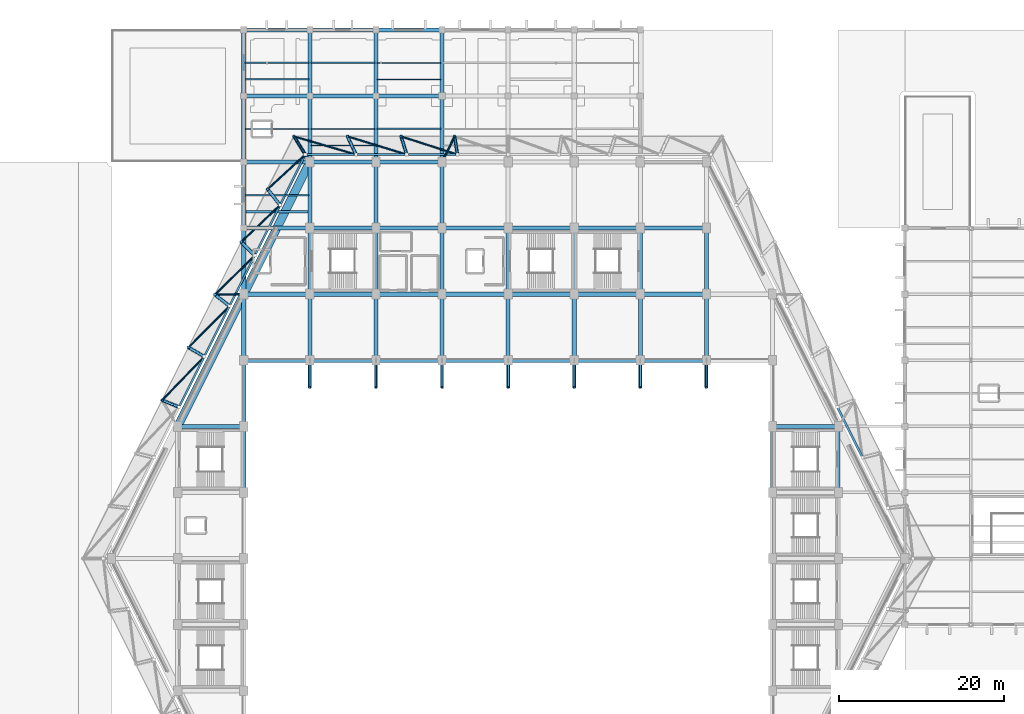
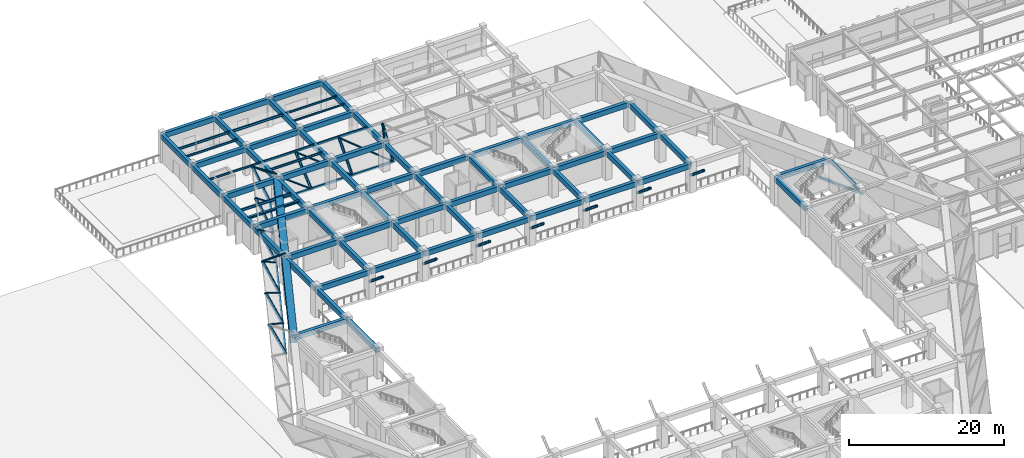
# One storey, part 9 of 46: 77 beams, 36 members.
"""IFC4 building model written with IfcOpenShell, lengths in metres."""

from ifc_helpers import new_model, si_unit, direction, frame, origin, origin_2d, place, context, subcontext, project, spatial, rectangle, hollow_rectangle, hollow_circle, i_section, extrude, material, material_profile, profile_set, type_object, element, save


model = new_model("IFC4")

# Units and contexts
model_context = context("Model", 3, precision=1e-05, world=origin(), true_north=direction((0.0, 1.0)))
body_context = subcontext(model_context, "Body", "Model", "MODEL_VIEW")
ifc_project = project(units=[si_unit("LENGTHUNIT", "METRE"), si_unit("AREAUNIT", "SQUARE_METRE"), si_unit("VOLUMEUNIT", "CUBIC_METRE"), si_unit("PLANEANGLEUNIT", "RADIAN"), si_unit("MASSUNIT", "GRAM", prefix="KILO")], contexts=[model_context])

# Site, building, storey
site_placement = place(None, origin())
site = spatial("IfcSite", under=ifc_project, at=site_placement, CompositionType="ELEMENT")
building_placement = place(site_placement, origin())
building = spatial("IfcBuilding", under=site, at=building_placement, Name="Tazarka Park Arena", CompositionType="ELEMENT")
storey_placement = place(building_placement, frame((0.0, 0.0, 10.199951171875)))
storey = spatial("IfcBuildingStorey", under=building, at=storey_placement, Name="L02", CompositionType="ELEMENT", Elevation=10.199951171875)

# Beams
ifc_material_1 = material(Name="Concrete C40/50", Category="concrete")
ifc_material_profile_1 = material_profile(ifc_material_1, rectangle(XDim=0.5, YDim=0.800048828125, at=origin_2d()), Name="Concrete C40/50")
ifc_profile_set_1 = profile_set([ifc_material_profile_1], Name="Concrete C40/50")
beam_type_1 = type_object("IfcBeamType", Name="BM-B-02", PredefinedType="BEAM", material=ifc_profile_set_1)
for number, where, z_axis, x_axis, name in (
    (1, (56.1201171875, 88.0, 4.02001953125), (1.0, 0.0, 0.0), (0.0, 1.0, 0.0), "GXM-L02-07-11"),
    (2, (56.1201171875, 96.0, 4.02001953125), (1.0, 0.0, 0.0), (0.0, 1.0, 0.0), "GXM-L02-07-12"),
    (3, (56.1201171875, 104.0, 4.02001953125), (1.0, 0.0, 0.0), (0.0, 1.0, 0.0), "GXM-L02-07-13"),
    (4, (56.1201171875, 112.0, 4.02001953125), (1.0, 0.0, 0.0), (0.0, 1.0, 0.0), "GXM-L02-07-14"),
    (5, (56.1201171875, 120.0, 4.02001953125), (1.0, 0.0, 0.0), (0.0, 1.0, 0.0), "GXM-L02-07-15"),
    (6, (64.0, 88.1201171875, 4.02001953125), (0.0, 1.0, 0.0), (-1.0, 0.0, 0.0), "GYM-L02-08-11"),
    (7, (64.1201171875, 96.0, 4.02001953125), (1.0, 0.0, 0.0), (0.0, 1.0, 0.0), "GXM-L02-08-12"),
    (8, (64.0, 96.1201171875, 4.02001953125), (0.0, 1.0, 0.0), (-1.0, 0.0, 0.0), "GYM-L02-08-12"),
    (9, (64.1201171875, 104.0, 4.02001953125), (1.0, 0.0, 0.0), (0.0, 1.0, 0.0), "GXM-L02-08-13"),
    (10, (64.0, 104.1201171875, 4.02001953125), (0.0, 1.0, 0.0), (-1.0, 0.0, 0.0), "GYM-L02-08-13"),
    (11, (64.1201171875, 112.0, 4.02001953125), (1.0, 0.0, 0.0), (0.0, 1.0, 0.0), "GXM-L02-08-14"),
    (12, (64.0, 112.1201171875, 4.02001953125), (0.0, 1.0, 0.0), (-1.0, 0.0, 0.0), "GYM-L02-08-14"),
    (13, (64.1201171875, 120.0, 4.02001953125), (1.0, 0.0, 0.0), (0.0, 1.0, 0.0), "GXM-L02-08-15"),
    (14, (64.0, 120.1201171875, 4.02001953125), (0.0, 1.0, 0.0), (-1.0, 0.0, 0.0), "GYM-L02-08-15"),
    (15, (72.0, 88.1201171875, 4.02001953125), (0.0, 1.0, 0.0), (-1.0, 0.0, 0.0), "GYM-L02-09-11"),
    (16, (72.1201171875, 96.0, 4.02001953125), (1.0, 0.0, 0.0), (0.0, 1.0, 0.0), "GXM-L02-09-12"),
    (17, (72.0, 96.1201171875, 4.02001953125), (0.0, 1.0, 0.0), (-1.0, 0.0, 0.0), "GYM-L02-09-12"),
    (18, (72.1201171875, 104.0, 4.02001953125), (1.0, 0.0, 0.0), (0.0, 1.0, 0.0), "GXM-L02-09-13"),
    (19, (72.0, 104.1201171875, 4.02001953125), (0.0, 1.0, 0.0), (-1.0, 0.0, 0.0), "GYM-L02-09-13"),
    (20, (72.1201171875, 112.0, 4.02001953125), (1.0, 0.0, 0.0), (0.0, 1.0, 0.0), "GXM-L02-09-14"),
    (21, (72.0, 112.1201171875, 4.02001953125), (0.0, 1.0, 0.0), (-1.0, 0.0, 0.0), "GYM-L02-09-14"),
    (22, (72.1201171875, 120.0, 4.02001953125), (1.0, 0.0, 0.0), (0.0, 1.0, 0.0), "GXM-L02-09-15"),
    (23, (72.0, 120.1201171875, 4.02001953125), (0.0, 1.0, 0.0), (-1.0, 0.0, 0.0), "GYM-L02-09-15"),
    (24, (80.0, 88.1201171875, 4.02001953125), (0.0, 1.0, 0.0), (-1.0, 0.0, 0.0), "GYM-L02-10-11"),
    (25, (80.1201171875, 96.0, 4.02001953125), (1.0, 0.0, 0.0), (0.0, 1.0, 0.0), "GXM-L02-10-12"),
    (26, (80.0, 96.1201171875, 4.02001953125), (0.0, 1.0, 0.0), (-1.0, 0.0, 0.0), "GYM-L02-10-12"),
    (27, (80.1201171875, 104.0, 4.02001953125), (1.0, 0.0, 0.0), (0.0, 1.0, 0.0), "GXM-L02-10-13"),
    (28, (80.0, 104.1201171875, 4.02001953125), (0.0, 1.0, 0.0), (-1.0, 0.0, 0.0), "GYM-L02-10-13"),
    (29, (80.0, 112.1201171875, 4.02001953125), (0.0, 1.0, 0.0), (-1.0, 0.0, 0.0), "GYM-L02-10-14"),
    (30, (80.0, 120.1201171875, 4.02001953125), (0.0, 1.0, 0.0), (-1.0, 0.0, 0.0), "GYM-L02-10-15"),
    (31, (88.0, 88.1201171875, 4.02001953125), (0.0, 1.0, 0.0), (-1.0, 0.0, 0.0), "GYM-L02-11-11"),
    (32, (88.1201171875, 96.0, 4.02001953125), (1.0, 0.0, 0.0), (0.0, 1.0, 0.0), "GXM-L02-11-12"),
    (33, (88.0, 96.1201171875, 4.02001953125), (0.0, 1.0, 0.0), (-1.0, 0.0, 0.0), "GYM-L02-11-12"),
    (34, (88.1201171875, 104.0, 4.02001953125), (1.0, 0.0, 0.0), (0.0, 1.0, 0.0), "GXM-L02-11-13"),
    (35, (96.0, 88.1201171875, 4.02001953125), (0.0, 1.0, 0.0), (-1.0, 0.0, 0.0), "GYM-L02-12-11"),
    (36, (96.1201171875, 96.0, 4.02001953125), (1.0, 0.0, 0.0), (0.0, 1.0, 0.0), "GXM-L02-12-12"),
    (37, (96.0, 96.1201171875, 4.02001953125), (0.0, 1.0, 0.0), (-1.0, 0.0, 0.0), "GYM-L02-12-12"),
    (38, (96.1201171875, 104.0, 4.02001953125), (1.0, 0.0, 0.0), (0.0, 1.0, 0.0), "GXM-L02-12-13"),
    (39, (104.0, 88.1201171875, 4.02001953125), (0.0, 1.0, 0.0), (-1.0, 0.0, 0.0), "GYM-L02-13-11"),
    (40, (104.1201171875, 96.0, 4.02001953125), (1.0, 0.0, 0.0), (0.0, 1.0, 0.0), "GXM-L02-13-12"),
    (41, (104.0, 96.1201171875, 4.02001953125), (0.0, 1.0, 0.0), (-1.0, 0.0, 0.0), "GYM-L02-13-12"),
    (42, (104.1201171875, 104.0, 4.02001953125), (1.0, 0.0, 0.0), (0.0, 1.0, 0.0), "GXM-L02-13-13"),
    (43, (112.0, 88.1201171875, 4.02001953125), (0.0, 1.0, 0.0), (-1.0, 0.0, 0.0), "GYM-L02-14-11"),
    (44, (112.0, 96.1201171875, 4.02001953125), (0.0, 1.0, 0.0), (-1.0, 0.0, 0.0), "GYM-L02-14-12"),
    (45, (120.1201171875, 80.0, 4.02001953125), (1.0, 0.0, 0.0), (0.0, 1.0, 0.0), "GXM-L02-15-10"),
):
    element("IfcBeam", number, at=place(storey_placement, frame(where, z_axis=z_axis, x_axis=x_axis)), inside=storey, type_object=beam_type_1, Name=name, PredefinedType="BEAM", context=body_context, shape_type="SweptSolid", body=[
        extrude(rectangle(XDim=0.5, YDim=0.800048828125, at=origin_2d()), origin(), (0.0, 0.0, 1.0), 7.759765625),
    ])
ifc_material_2 = material(Name="Steel S355", Category="steel")
ifc_material_profile_2 = material_profile(ifc_material_2, i_section(OverallWidth=0.300048828125, OverallDepth=0.489990234375, WebThickness=0.011962890625, FlangeThickness=0.02294921875, FilletRadius=0.027099609375, at=origin_2d()), Name="Steel S355")
ifc_profile_set_2 = profile_set([ifc_material_profile_2], Name="Steel S355")
beam_type_2 = type_object("IfcBeamType", Name="BM-B-06", PredefinedType="BEAM", material=ifc_profile_set_2)
beam_1_placement = place(storey_placement, frame((128.0, 72.1201171875, 4.175048828125), z_axis=(0.0, 1.0, 0.0), x_axis=(-1.0, 0.0, 0.0)))
element("IfcBeam", 46, at=beam_1_placement, inside=storey, type_object=beam_type_2, Name="GYM-L02-16-09", PredefinedType="BEAM", context=body_context, shape_type="SweptSolid", body=[
    extrude(i_section(OverallWidth=0.300048828125, OverallDepth=0.489990234375, WebThickness=0.011962890625, FlangeThickness=0.02294921875, FilletRadius=0.027099609375, at=origin_2d()), origin(), (0.0, 0.0, 1.0), 7.759765625),
])
ifc_material_3 = material(Name="Steel S355", Category="steel")
ifc_material_profile_3 = material_profile(ifc_material_3, i_section(OverallWidth=0.14990234375, OverallDepth=0.300048828125, WebThickness=0.007080078125, FlangeThickness=0.0107421875, FilletRadius=0.014892578125, at=origin_2d()), Name="Steel S355")
ifc_profile_set_3 = profile_set([ifc_material_profile_3], Name="Steel S355")
beam_type_3 = type_object("IfcBeamType", Name="BM-J-01", PredefinedType="JOIST", material=ifc_profile_set_3)
for number, where, z_axis, x_axis, name in (
    (47, (56.1201171875, 116.0, 4.27001953125), (1.0, 0.0, 0.0), (0.0, 1.0, 0.0), "JST-L02-07-14"),
    (48, (72.1201171875, 124.0, 4.27001953125), (1.0, 0.0, 0.0), (0.0, 1.0, 0.0), "JST-L02-09-15"),
):
    element("IfcBeam", number, at=place(storey_placement, frame(where, z_axis=z_axis, x_axis=x_axis)), inside=storey, type_object=beam_type_3, Name=name, PredefinedType="JOIST", context=body_context, shape_type="SweptSolid", body=[
        extrude(i_section(OverallWidth=0.14990234375, OverallDepth=0.300048828125, WebThickness=0.007080078125, FlangeThickness=0.0107421875, FilletRadius=0.014892578125, at=origin_2d()), origin(), (0.0, 0.0, 1.0), 7.759765625),
    ])
ifc_material_4 = material(Name="Steel S355", Category="steel")
ifc_material_profile_4 = material_profile(ifc_material_4, i_section(OverallWidth=0.169921875, OverallDepth=0.360107421875, WebThickness=0.008056640625, FlangeThickness=0.0126953125, FilletRadius=0.01806640625, at=origin_2d()), Name="Steel S355")
ifc_profile_set_4 = profile_set([ifc_material_profile_4], Name="Steel S355")
beam_type_4 = type_object("IfcBeamType", Name="BM-J-02", PredefinedType="JOIST", material=ifc_profile_set_4)
for number, where, z_axis, x_axis, name in (
    (49, (56.1201171875, 124.0, 4.239990234375), (1.0, 0.0, 0.0), (0.0, 1.0, 0.0), "JST-L02-07-15"),
    (50, (64.1201171875, 116.0, 4.239990234375), (1.0, 0.0, 0.0), (0.0, 1.0, 0.0), "JST-L02-08-14"),
):
    element("IfcBeam", number, at=place(storey_placement, frame(where, z_axis=z_axis, x_axis=x_axis)), inside=storey, type_object=beam_type_4, Name=name, PredefinedType="JOIST", context=body_context, shape_type="SweptSolid", body=[
        extrude(i_section(OverallWidth=0.169921875, OverallDepth=0.360107421875, WebThickness=0.008056640625, FlangeThickness=0.0126953125, FilletRadius=0.01806640625, at=origin_2d()), origin(), (0.0, 0.0, 1.0), 7.759765625),
    ])
ifc_material_5 = material(Name="Steel S355", Category="steel")
ifc_material_profile_5 = material_profile(ifc_material_5, i_section(OverallWidth=0.179931640625, OverallDepth=0.39990234375, WebThickness=0.008544921875, FlangeThickness=0.013427734375, FilletRadius=0.02099609375, at=origin_2d()), Name="Steel S355")
ifc_profile_set_5 = profile_set([ifc_material_profile_5], Name="Steel S355")
beam_type_5 = type_object("IfcBeamType", Name="BM-J-03", PredefinedType="JOIST", material=ifc_profile_set_5)
for number, where, z_axis, x_axis, name in (
    (51, (56.1201171875, 108.0, 4.219970703125), (1.0, 0.0, 0.0), (0.0, 1.0, 0.0), "JST-L02-07-13"),
    (52, (64.1201171875, 124.0, 4.219970703125), (1.0, 0.0, 0.0), (0.0, 1.0, 0.0), "JST-L02-08-15"),
    (53, (72.1201171875, 116.0, 4.219970703125), (1.0, 0.0, 0.0), (0.0, 1.0, 0.0), "JST-L02-09-14"),
):
    element("IfcBeam", number, at=place(storey_placement, frame(where, z_axis=z_axis, x_axis=x_axis)), inside=storey, type_object=beam_type_5, Name=name, PredefinedType="JOIST", context=body_context, shape_type="SweptSolid", body=[
        extrude(i_section(OverallWidth=0.179931640625, OverallDepth=0.39990234375, WebThickness=0.008544921875, FlangeThickness=0.013427734375, FilletRadius=0.02099609375, at=origin_2d()), origin(), (0.0, 0.0, 1.0), 7.759765625),
    ])
ifc_material_6 = material(Name="Steel S355", Category="steel")
ifc_material_profile_6 = material_profile(ifc_material_6, i_section(OverallWidth=0.135009765625, OverallDepth=0.27001953125, WebThickness=0.006591796875, FlangeThickness=0.01025390625, FilletRadius=0.014892578125, at=origin_2d()), Name="Steel S355")
ifc_profile_set_6 = profile_set([ifc_material_profile_6], Name="Steel S355")
beam_type_6 = type_object("IfcBeamType", Name="BM-J-04", PredefinedType="JOIST", material=ifc_profile_set_6)
beam_2_placement = place(storey_placement, frame((72.1201171875, 122.0, 4.28515625), z_axis=(1.0, 0.0, 0.0), x_axis=(0.0, 1.0, 0.0)))
element("IfcBeam", 54, at=beam_2_placement, inside=storey, type_object=beam_type_6, Name="JST2-L02-09-15", PredefinedType="JOIST", context=body_context, shape_type="SweptSolid", body=[
    extrude(i_section(OverallWidth=0.135009765625, OverallDepth=0.27001953125, WebThickness=0.006591796875, FlangeThickness=0.01025390625, FilletRadius=0.014892578125, at=origin_2d()), origin(), (0.0, 0.0, 1.0), 7.759765625),
])
ifc_material_7 = material(Name="Steel S355", Category="steel")
ifc_material_profile_7 = material_profile(ifc_material_7, i_section(OverallWidth=0.159912109375, OverallDepth=0.330078125, WebThickness=0.007568359375, FlangeThickness=0.011474609375, FilletRadius=0.01806640625, at=origin_2d()), Name="Steel S355")
ifc_profile_set_7 = profile_set([ifc_material_profile_7], Name="Steel S355")
beam_type_7 = type_object("IfcBeamType", Name="BM-J-05", PredefinedType="JOIST", material=ifc_profile_set_7)
for number, where, z_axis, x_axis, name in (
    (55, (56.1201171875, 122.0, 4.255126953125), (1.0, 0.0, 0.0), (0.0, 1.0, 0.0), "JST2-L02-07-15"),
    (56, (64.1201171875, 114.0, 4.255126953125), (1.0, 0.0, 0.0), (0.0, 1.0, 0.0), "JST2-L02-08-14"),
):
    element("IfcBeam", number, at=place(storey_placement, frame(where, z_axis=z_axis, x_axis=x_axis)), inside=storey, type_object=beam_type_7, Name=name, PredefinedType="JOIST", context=body_context, shape_type="SweptSolid", body=[
        extrude(i_section(OverallWidth=0.159912109375, OverallDepth=0.330078125, WebThickness=0.007568359375, FlangeThickness=0.011474609375, FilletRadius=0.01806640625, at=origin_2d()), origin(), (0.0, 0.0, 1.0), 7.759765625),
    ])
ifc_material_8 = material(Name="Steel S355", Category="steel")
ifc_material_profile_8 = material_profile(ifc_material_8, i_section(OverallWidth=0.300048828125, OverallDepth=0.330078125, WebThickness=0.009521484375, FlangeThickness=0.0166015625, FilletRadius=0.027099609375, at=origin_2d()), Name="Steel S355")
ifc_profile_set_8 = profile_set([ifc_material_profile_8], Name="Steel S355")
beam_type_8 = type_object("IfcBeamType", Name="BM-J-06", PredefinedType="JOIST", material=ifc_profile_set_8)
beam_3_placement = place(storey_placement, frame((56.1201171875, 106.0, 4.255126953125), z_axis=(1.0, 0.0, 0.0), x_axis=(0.0, 1.0, 0.0)))
element("IfcBeam", 57, at=beam_3_placement, inside=storey, type_object=beam_type_8, Name="JST2-L02-07-13", PredefinedType="JOIST", context=body_context, shape_type="SweptSolid", body=[
    extrude(i_section(OverallWidth=0.300048828125, OverallDepth=0.330078125, WebThickness=0.009521484375, FlangeThickness=0.0166015625, FilletRadius=0.027099609375, at=origin_2d()), origin(), (0.0, 0.0, 1.0), 7.759765625),
])
ifc_material_9 = material(Name="Concrete C50/60", Category="concrete")
ifc_material_profile_9 = material_profile(ifc_material_9, rectangle(XDim=1.0, YDim=1.39990234375, at=origin_2d()), Name="Concrete C50/60")
ifc_profile_set_9 = profile_set([ifc_material_profile_9], Name="Concrete C50/60")
beam_type_9 = type_object("IfcBeamType", Name="BM-RNG-01", PredefinedType="BEAM", material=ifc_profile_set_9)
for number, where, z_axis, x_axis, name in (
    (58, (63.9462890625, 111.892578125, 3.719970703125), (-0.4472135955, -0.894427191, 0.0), (0.894427191, -0.4472135955, 0.0), "RING BEAM RNG-01-L02-19"),
    (59, (55.9462890625, 95.892578125, 3.719970703125), (-0.4472135955, -0.894427191, 0.0), (0.894427191, -0.4472135955, 0.0), "RING BEAM RNG-01-L02-20"),
):
    element("IfcBeam", number, at=place(storey_placement, frame(where, z_axis=z_axis, x_axis=x_axis)), inside=storey, type_object=beam_type_9, Name=name, PredefinedType="BEAM", context=body_context, shape_type="SweptSolid", body=[
        extrude(rectangle(XDim=1.0, YDim=1.39990234375, at=origin_2d()), origin(), (0.0, 0.0, 1.0), 17.6484375),
    ])
ifc_material_10 = material(Name="Concrete C40/50", Category="concrete")
ifc_material_profile_10 = material_profile(ifc_material_10, rectangle(XDim=0.5, YDim=0.800048828125, at=origin_2d()), Name="Concrete C40/50")
ifc_profile_set_10 = profile_set([ifc_material_profile_10], Name="Concrete C40/50")
beam_type_10 = type_object("IfcBeamType", Name="BM-SP-01", PredefinedType="SPANDREL", material=ifc_profile_set_10)
for number, where, z_axis, x_axis, name in (
    (60, (48.1201171875, 80.0, 4.02001953125), (1.0, 0.0, 0.0), (0.0, 1.0, 0.0), "GXM-L02-06-10"),
    (61, (56.0, 72.1201171875, 4.02001953125), (0.0, 1.0, 0.0), (-1.0, 0.0, 0.0), "GYM-L02-07-09"),
    (62, (56.0, 80.1201171875, 4.02001953125), (0.0, 1.0, 0.0), (-1.0, 0.0, 0.0), "GYM-L02-07-10"),
    (63, (56.0, 88.1201171875, 4.02001953125), (0.0, 1.0, 0.0), (-1.0, 0.0, 0.0), "GYM-L02-07-11"),
    (64, (56.0, 96.1201171875, 4.02001953125), (0.0, 1.0, 0.0), (-1.0, 0.0, 0.0), "GYM-L02-07-12"),
    (65, (56.0, 104.1201171875, 4.02001953125), (0.0, 1.0, 0.0), (-1.0, 0.0, 0.0), "GYM-L02-07-13"),
    (66, (56.0, 112.1201171875, 4.02001953125), (0.0, 1.0, 0.0), (-1.0, 0.0, 0.0), "GYM-L02-07-14"),
    (67, (56.0, 120.1201171875, 4.02001953125), (0.0, 1.0, 0.0), (-1.0, 0.0, 0.0), "GYM-L02-07-15"),
    (68, (56.1201171875, 128.0, 4.02001953125), (1.0, 0.0, 0.0), (0.0, 1.0, 0.0), "GXM-L02-07-16"),
    (69, (64.1201171875, 88.0, 4.02001953125), (1.0, 0.0, 0.0), (0.0, 1.0, 0.0), "GXM-L02-08-11"),
    (70, (64.1201171875, 128.0, 4.02001953125), (1.0, 0.0, 0.0), (0.0, 1.0, 0.0), "GXM-L02-08-16"),
    (71, (72.1201171875, 88.0, 4.02001953125), (1.0, 0.0, 0.0), (0.0, 1.0, 0.0), "GXM-L02-09-11"),
    (72, (72.1201171875, 128.0, 4.02001953125), (1.0, 0.0, 0.0), (0.0, 1.0, 0.0), "GXM-L02-09-16"),
    (73, (80.1201171875, 88.0, 4.02001953125), (1.0, 0.0, 0.0), (0.0, 1.0, 0.0), "GXM-L02-10-11"),
    (74, (88.1201171875, 88.0, 4.02001953125), (1.0, 0.0, 0.0), (0.0, 1.0, 0.0), "GXM-L02-11-11"),
    (75, (96.1201171875, 88.0, 4.02001953125), (1.0, 0.0, 0.0), (0.0, 1.0, 0.0), "GXM-L02-12-11"),
    (76, (104.1201171875, 88.0, 4.02001953125), (1.0, 0.0, 0.0), (0.0, 1.0, 0.0), "GXM-L02-13-11"),
    (77, (120.0, 72.1201171875, 4.02001953125), (0.0, 1.0, 0.0), (-1.0, 0.0, 0.0), "GYM-L02-15-09"),
):
    element("IfcBeam", number, at=place(storey_placement, frame(where, z_axis=z_axis, x_axis=x_axis)), inside=storey, type_object=beam_type_10, Name=name, PredefinedType="SPANDREL", context=body_context, shape_type="SweptSolid", body=[
        extrude(rectangle(XDim=0.5, YDim=0.800048828125, at=origin_2d()), origin(), (0.0, 0.0, 1.0), 7.759765625),
    ])

# Members
ifc_material_11 = material(Name="Steel S355", Category="steel")
ifc_material_profile_11 = material_profile(ifc_material_11, hollow_circle(Radius=0.122314453125, WallThickness=0.012451171875, at=origin_2d()), Name="Steel S355")
ifc_profile_set_11 = profile_set([ifc_material_profile_11], Name="Steel S355")
member_type_1 = type_object("IfcMemberType", Name="MEM-BR-05", PredefinedType="BRACE", material=ifc_profile_set_11)
member_1_placement = place(storey_placement, frame((81.861083984375, 112.89990234375, 0.0), z_axis=(-0.790668677769, 0.255111028035, 0.556562130737), x_axis=(-0.307064502192, -0.951688705141, 0.0)))
element("IfcMember", 78, at=member_1_placement, inside=storey, type_object=member_type_1, Name="FLD-29", PredefinedType="BRACE", context=body_context, shape_type="SweptSolid", body=[
    extrude(hollow_circle(Radius=0.122314453125, WallThickness=0.012451171875, at=origin_2d()), origin(), (0.0, 0.0, 1.0), 8.62451171875),
])
member_2_placement = place(storey_placement, frame((75.721923828125, 112.89990234375, 0.0), z_axis=(-0.804772711935, 0.247335254918, 0.539598141027), x_axis=(-0.293774300866, -0.955874814058, 0.0)))
element("IfcMember", 79, at=member_2_placement, inside=storey, type_object=member_type_1, Name="FLD-30", PredefinedType="BRACE", context=body_context, shape_type="SweptSolid", body=[
    extrude(hollow_circle(Radius=0.122314453125, WallThickness=0.012451171875, at=origin_2d()), origin(), (0.0, 0.0, 1.0), 8.8955078125),
])
member_3_placement = place(storey_placement, frame((69.5830078125, 112.89990234375, 0.0), z_axis=(-0.817642857996, 0.239894434049, 0.523364898785), x_axis=(-0.28153032935, -0.959552329816, 0.0)))
element("IfcMember", 80, at=member_3_placement, inside=storey, type_object=member_type_1, Name="FLD-31", PredefinedType="BRACE", context=body_context, shape_type="SweptSolid", body=[
    extrude(hollow_circle(Radius=0.122314453125, WallThickness=0.012451171875, at=origin_2d()), origin(), (0.0, 0.0, 1.0), 9.171630859375),
])
member_4_placement = place(storey_placement, frame((63.44384765625, 112.89990234375, 0.0), z_axis=(-0.58153737555, -0.534798620205, 0.613029131987), x_axis=(0.676908607816, -0.736067073482, 0.0)))
element("IfcMember", 81, at=member_4_placement, inside=storey, type_object=member_type_1, Name="FLD-32", PredefinedType="BRACE", context=body_context, shape_type="SweptSolid", body=[
    extrude(hollow_circle(Radius=0.122314453125, WallThickness=0.012451171875, at=origin_2d()), origin(), (0.0, 0.0, 1.0), 7.830078125),
])
member_5_placement = place(storey_placement, frame((60.3876953125, 106.78759765625, 0.0), z_axis=(-0.582034140305, -0.553682125977, 0.59554375397), x_axis=(0.689239837544, -0.724533261032, 0.0)))
element("IfcMember", 82, at=member_5_placement, inside=storey, type_object=member_type_1, Name="FLD-33", PredefinedType="BRACE", context=body_context, shape_type="SweptSolid", body=[
    extrude(hollow_circle(Radius=0.122314453125, WallThickness=0.012451171875, at=origin_2d()), origin(), (0.0, 0.0, 1.0), 8.06005859375),
])
member_6_placement = place(storey_placement, frame((57.331298828125, 100.675048828125, 0.0), z_axis=(-0.582120109666, -0.571170588465, 0.57870574284), x_axis=(0.700361835223, -0.713787993569, 0.0)))
element("IfcMember", 83, at=member_6_placement, inside=storey, type_object=member_type_1, Name="FLD-34", PredefinedType="BRACE", context=body_context, shape_type="SweptSolid", body=[
    extrude(hollow_circle(Radius=0.122314453125, WallThickness=0.012451171875, at=origin_2d()), origin(), (0.0, 0.0, 1.0), 8.29443359375),
])
member_7_placement = place(storey_placement, frame((54.275146484375, 94.5625, 0.0), z_axis=(-0.581924102591, -0.587359704552, 0.562470369256), x_axis=(0.710386203958, -0.703812078063, 0.0)))
element("IfcMember", 84, at=member_7_placement, inside=storey, type_object=member_type_1, Name="FLD-35", PredefinedType="BRACE", context=body_context, shape_type="SweptSolid", body=[
    extrude(hollow_circle(Radius=0.122314453125, WallThickness=0.012451171875, at=origin_2d()), origin(), (0.0, 0.0, 1.0), 8.533935546875),
])
member_8_placement = place(storey_placement, frame((51.21875, 88.449951171875, 0.0), z_axis=(-0.581439340036, -0.602383839799, 0.54686561732), x_axis=(0.719504494252, -0.694487784451, 0.0)))
element("IfcMember", 85, at=member_8_placement, inside=storey, type_object=member_type_1, Name="FLD-36", PredefinedType="BRACE", context=body_context, shape_type="SweptSolid", body=[
    extrude(hollow_circle(Radius=0.122314453125, WallThickness=0.012451171875, at=origin_2d()), origin(), (0.0, 0.0, 1.0), 8.77734375),
])
ifc_material_12 = material(Name="Steel S355", Category="steel")
ifc_material_profile_12 = material_profile(ifc_material_12, hollow_circle(Radius=0.136474609375, WallThickness=0.012451171875, at=origin_2d()), Name="Steel S355")
ifc_profile_set_12 = profile_set([ifc_material_profile_12], Name="Steel S355")
member_type_2 = type_object("IfcMemberType", Name="MEM-SR-01", PredefinedType="STRUT", material=ifc_profile_set_12)
member_9_placement = place(storey_placement, frame((80.0, 112.0, 4.800048828125), z_axis=(0.440470152774, 0.897767255204, 0.0), x_axis=(-0.897767255204, 0.440470152774, 0.0)))
element("IfcMember", 86, at=member_9_placement, inside=storey, type_object=member_type_2, Name="FST-16", PredefinedType="STRUT", context=body_context, shape_type="SweptSolid", body=[
    extrude(hollow_circle(Radius=0.136474609375, WallThickness=0.012451171875, at=origin_2d()), origin(), (0.0, 0.0, 1.0), 3.453125),
])
member_10_placement = place(storey_placement, frame((64.0, 112.0, 4.800048828125), z_axis=(-0.525741020847, 0.850644684342, 0.0), x_axis=(-0.850644684342, -0.525741020847, 0.0)))
element("IfcMember", 87, at=member_10_placement, inside=storey, type_object=member_type_2, Name="FST-18", PredefinedType="STRUT", context=body_context, shape_type="SweptSolid", body=[
    extrude(hollow_circle(Radius=0.136474609375, WallThickness=0.012451171875, at=origin_2d()), origin(), (0.0, 0.0, 1.0), 3.64453125),
])
member_11_placement = place(storey_placement, frame((56.0, 96.0, 4.800048828125), z_axis=(-0.99984033222, -0.017869249166, 0.0), x_axis=(0.017869249166, -0.99984033222, 0.0)))
element("IfcMember", 88, at=member_11_placement, inside=storey, type_object=member_type_2, Name="FST-19", PredefinedType="STRUT", context=body_context, shape_type="SweptSolid", body=[
    extrude(hollow_circle(Radius=0.136474609375, WallThickness=0.012451171875, at=origin_2d()), origin(), (0.0, 0.0, 1.0), 3.49755859375),
])
ifc_material_13 = material(Name="Steel S460", Category="steel")
ifc_material_profile_13 = material_profile(ifc_material_13, hollow_circle(Radius=0.203125, WallThickness=0.02001953125, at=origin_2d()), Name="Steel S460")
ifc_profile_set_13 = profile_set([ifc_material_profile_13], Name="Steel S460")
member_type_3 = type_object("IfcMemberType", Name="MEM-SR-02", PredefinedType="STRUT", material=ifc_profile_set_13)
member_12_placement = place(storey_placement, frame((81.861083984375, 112.89990234375, 0.0), z_axis=(-0.064274027366, 0.415820197145, 0.907172758108), x_axis=(-0.988263690231, -0.152757581058, 0.0)))
element("IfcMember", 89, at=member_12_placement, inside=storey, type_object=member_type_3, Name="FSL-29", PredefinedType="STRUT", context=body_context, shape_type="SweptSolid", body=[
    extrude(hollow_circle(Radius=0.203125, WallThickness=0.02001953125, at=origin_2d()), origin(), (0.0, 0.0, 1.0), 5.291259765625),
])
member_13_placement = place(storey_placement, frame((75.721923828125, 112.89990234375, 0.0), z_axis=(-0.127713696948, 0.413269600322, 0.901608256984), x_axis=(-0.955418410897, -0.295255245711, 0.0)))
element("IfcMember", 90, at=member_13_placement, inside=storey, type_object=member_type_3, Name="FSL-30", PredefinedType="STRUT", context=body_context, shape_type="SweptSolid", body=[
    extrude(hollow_circle(Radius=0.203125, WallThickness=0.02001953125, at=origin_2d()), origin(), (0.0, 0.0, 1.0), 5.323974609375),
])
member_14_placement = place(storey_placement, frame((69.5830078125, 112.89990234375, 0.0), z_axis=(-0.189668875151, 0.409118215141, 0.892551401231), x_axis=(-0.907245026387, -0.420602498918, 0.0)))
element("IfcMember", 91, at=member_14_placement, inside=storey, type_object=member_type_3, Name="FSL-31", PredefinedType="STRUT", context=body_context, shape_type="SweptSolid", body=[
    extrude(hollow_circle(Radius=0.203125, WallThickness=0.02001953125, at=origin_2d()), origin(), (0.0, 0.0, 1.0), 5.3779296875),
])
member_15_placement = place(storey_placement, frame((63.44384765625, 112.89990234375, 0.0), z_axis=(-0.249398438136, 0.403515031326, 0.880327233788), x_axis=(-0.85063908606, -0.525750078712, 0.0)))
element("IfcMember", 92, at=member_15_placement, inside=storey, type_object=member_type_3, Name="FSL-32", PredefinedType="STRUT", context=body_context, shape_type="SweptSolid", body=[
    extrude(hollow_circle(Radius=0.203125, WallThickness=0.02001953125, at=origin_2d()), origin(), (0.0, 0.0, 1.0), 5.45263671875),
])
member_16_placement = place(storey_placement, frame((60.3876953125, 106.78759765625, 0.0), z_axis=(-0.278105252266, 0.35750559414, 0.891542045459), x_axis=(-0.789303697824, -0.61400299071, 0.0)))
element("IfcMember", 93, at=member_16_placement, inside=storey, type_object=member_type_3, Name="FSL-33", PredefinedType="STRUT", context=body_context, shape_type="SweptSolid", body=[
    extrude(hollow_circle(Radius=0.203125, WallThickness=0.02001953125, at=origin_2d()), origin(), (0.0, 0.0, 1.0), 5.384033203125),
])
member_17_placement = place(storey_placement, frame((57.331298828125, 100.675048828125, 0.0), z_axis=(-0.306568887428, 0.309407488238, 0.900156943807), x_axis=(-0.710357795107, -0.703840751115, 0.0)))
element("IfcMember", 94, at=member_17_placement, inside=storey, type_object=member_type_3, Name="FSL-34", PredefinedType="STRUT", context=body_context, shape_type="SweptSolid", body=[
    extrude(hollow_circle(Radius=0.203125, WallThickness=0.02001953125, at=origin_2d()), origin(), (0.0, 0.0, 1.0), 5.33251953125),
])
member_18_placement = place(storey_placement, frame((54.275146484375, 94.5625, 0.0), z_axis=(-0.334488631047, 0.259517835798, 0.905962388073), x_axis=(-0.612998274306, -0.79008424595, 0.0)))
element("IfcMember", 95, at=member_18_placement, inside=storey, type_object=member_type_3, Name="FSL-35", PredefinedType="STRUT", context=body_context, shape_type="SweptSolid", body=[
    extrude(hollow_circle(Radius=0.203125, WallThickness=0.02001953125, at=origin_2d()), origin(), (0.0, 0.0, 1.0), 5.29833984375),
])
member_19_placement = place(storey_placement, frame((51.21875, 88.449951171875, 0.0), z_axis=(-0.361555607028, 0.208280435345, 0.908788646099), x_axis=(-0.499166123897, -0.866506307394, 0.0)))
element("IfcMember", 96, at=member_19_placement, inside=storey, type_object=member_type_3, Name="FSL-36", PredefinedType="STRUT", context=body_context, shape_type="SweptSolid", body=[
    extrude(hollow_circle(Radius=0.203125, WallThickness=0.02001953125, at=origin_2d()), origin(), (0.0, 0.0, 1.0), 5.28173828125),
])
member_20_placement = place(storey_placement, frame((48.16259765625, 82.33740234375, 0.0), z_axis=(-0.387517016134, 0.15618978232, 0.908534707155), x_axis=(-0.373830235202, -0.927497145682, 0.0)))
element("IfcMember", 97, at=member_20_placement, inside=storey, type_object=member_type_3, Name="FSL-37", PredefinedType="STRUT", context=body_context, shape_type="SweptSolid", body=[
    extrude(hollow_circle(Radius=0.203125, WallThickness=0.02001953125, at=origin_2d()), origin(), (0.0, 0.0, 1.0), 5.283203125),
])
for number, where, z_axis, x_axis, name in (
    (98, (64.0, 88.0, 2.400146484375), (0.0, -0.770463826312, 0.637483719278), (1.0, 0.0, 0.0), "RKS-N-08"),
    (99, (72.0, 88.0, 2.400146484375), (0.0, -0.770463826312, 0.637483719278), (1.0, 0.0, 0.0), "RKS-N-09"),
    (100, (80.0, 88.0, 2.400146484375), (0.0, -0.770463826312, 0.637483719278), (1.0, 0.0, 0.0), "RKS-N-10"),
    (101, (88.0, 88.0, 2.400146484375), (0.0, -0.770463826312, 0.637483719278), (1.0, 0.0, 0.0), "RKS-N-11"),
    (102, (96.0, 88.0, 2.400146484375), (0.0, -0.770463826312, 0.637483719278), (1.0, 0.0, 0.0), "RKS-N-12"),
    (103, (104.0, 88.0, 2.400146484375), (0.0, -0.770463826312, 0.637483719278), (1.0, 0.0, 0.0), "RKS-N-13"),
    (104, (112.0, 88.0, 2.400146484375), (0.0, -0.770463826312, 0.637483719278), (1.0, 0.0, 0.0), "RKS-N-14"),
):
    element("IfcMember", number, at=place(storey_placement, frame(where, z_axis=z_axis, x_axis=x_axis)), inside=storey, type_object=member_type_3, Name=name, PredefinedType="STRUT", context=body_context, shape_type="SweptSolid", body=[
        extrude(hollow_circle(Radius=0.203125, WallThickness=0.02001953125, at=origin_2d()), origin(), (0.0, 0.0, 1.0), 4.283203125),
    ])
ifc_material_14 = material(Name="Steel S460", Category="steel")
ifc_material_profile_14 = material_profile(ifc_material_14, hollow_rectangle(XDim=0.25, YDim=0.35009765625, WallThickness=0.012451171875, at=origin_2d()), Name="Steel S460")
ifc_profile_set_14 = profile_set([ifc_material_profile_14], Name="Steel S460")
member_type_4 = type_object("IfcMemberType", Name="MEM-SR-04", PredefinedType="STRUT", material=ifc_profile_set_14)
member_21_placement = place(storey_placement, frame((130.893798828125, 76.22509765625, 0.0), z_axis=(-0.447242175329, 0.894412900515, 0.0), x_axis=(-0.894412900515, -0.447242175329, 0.0)))
element("IfcMember", 105, at=member_21_placement, inside=storey, type_object=member_type_4, Name="GMB-18", PredefinedType="STRUT", context=body_context, shape_type="SweptSolid", body=[
    extrude(hollow_rectangle(XDim=0.25, YDim=0.35009765625, WallThickness=0.012451171875, at=origin_2d()), origin(), (0.0, 0.0, 1.0), 6.833984375),
])
member_22_placement = place(storey_placement, frame((81.861083984375, 112.89990234375, 0.0), z_axis=(-1.0, 0.0, 0.0), x_axis=(0.0, -1.0, 0.0)))
element("IfcMember", 106, at=member_22_placement, inside=storey, type_object=member_type_4, Name="GMB-29", PredefinedType="STRUT", context=body_context, shape_type="SweptSolid", body=[
    extrude(hollow_rectangle(XDim=0.25, YDim=0.35009765625, WallThickness=0.012451171875, at=origin_2d()), origin(), (0.0, 0.0, 1.0), 6.13916015625),
])
member_23_placement = place(storey_placement, frame((75.721923828125, 112.89990234375, 0.0), z_axis=(-1.0, 0.0, 0.0), x_axis=(0.0, -1.0, 0.0)))
element("IfcMember", 107, at=member_23_placement, inside=storey, type_object=member_type_4, Name="GMB-30", PredefinedType="STRUT", context=body_context, shape_type="SweptSolid", body=[
    extrude(hollow_rectangle(XDim=0.25, YDim=0.35009765625, WallThickness=0.012451171875, at=origin_2d()), origin(), (0.0, 0.0, 1.0), 6.138916015625),
])
member_24_placement = place(storey_placement, frame((69.5830078125, 112.89990234375, 0.0), z_axis=(-1.0, 0.0, 0.0), x_axis=(0.0, -1.0, 0.0)))
element("IfcMember", 108, at=member_24_placement, inside=storey, type_object=member_type_4, Name="GMB-31", PredefinedType="STRUT", context=body_context, shape_type="SweptSolid", body=[
    extrude(hollow_rectangle(XDim=0.25, YDim=0.35009765625, WallThickness=0.012451171875, at=origin_2d()), origin(), (0.0, 0.0, 1.0), 6.13916015625),
])
member_25_placement = place(storey_placement, frame((63.44384765625, 112.89990234375, 0.0), z_axis=(-0.4472135955, -0.894427191, 0.0), x_axis=(0.894427191, -0.4472135955, 0.0)))
element("IfcMember", 109, at=member_25_placement, inside=storey, type_object=member_type_4, Name="GMB-32", PredefinedType="STRUT", context=body_context, shape_type="SweptSolid", body=[
    extrude(hollow_rectangle(XDim=0.25, YDim=0.35009765625, WallThickness=0.012451171875, at=origin_2d()), origin(), (0.0, 0.0, 1.0), 6.833740234375),
])
for number, where, z_axis, x_axis, name in (
    (110, (60.3876953125, 106.78759765625, 0.0), (-0.447227885015, -0.8944200461, 0.0), (0.8944200461, -0.447227885015, 0.0), "GMB-33"),
    (111, (57.331298828125, 100.675048828125, 0.0), (-0.447199305642, -0.894434335786, 0.0), (0.894434335786, -0.447199305642, 0.0), "GMB-34"),
    (112, (54.275146484375, 94.5625, 0.0), (-0.447227885015, -0.8944200461, 0.0), (0.8944200461, -0.447227885015, 0.0), "GMB-35"),
    (113, (51.21875, 88.449951171875, 0.0), (-0.447199305642, -0.894434335786, 0.0), (0.894434335786, -0.447199305642, 0.0), "GMB-36"),
):
    element("IfcMember", number, at=place(storey_placement, frame(where, z_axis=z_axis, x_axis=x_axis)), inside=storey, type_object=member_type_4, Name=name, PredefinedType="STRUT", context=body_context, shape_type="SweptSolid", body=[
        extrude(hollow_rectangle(XDim=0.25, YDim=0.35009765625, WallThickness=0.012451171875, at=origin_2d()), origin(), (0.0, 0.0, 1.0), 6.833984375),
    ])

save(model, "model.ifc")
